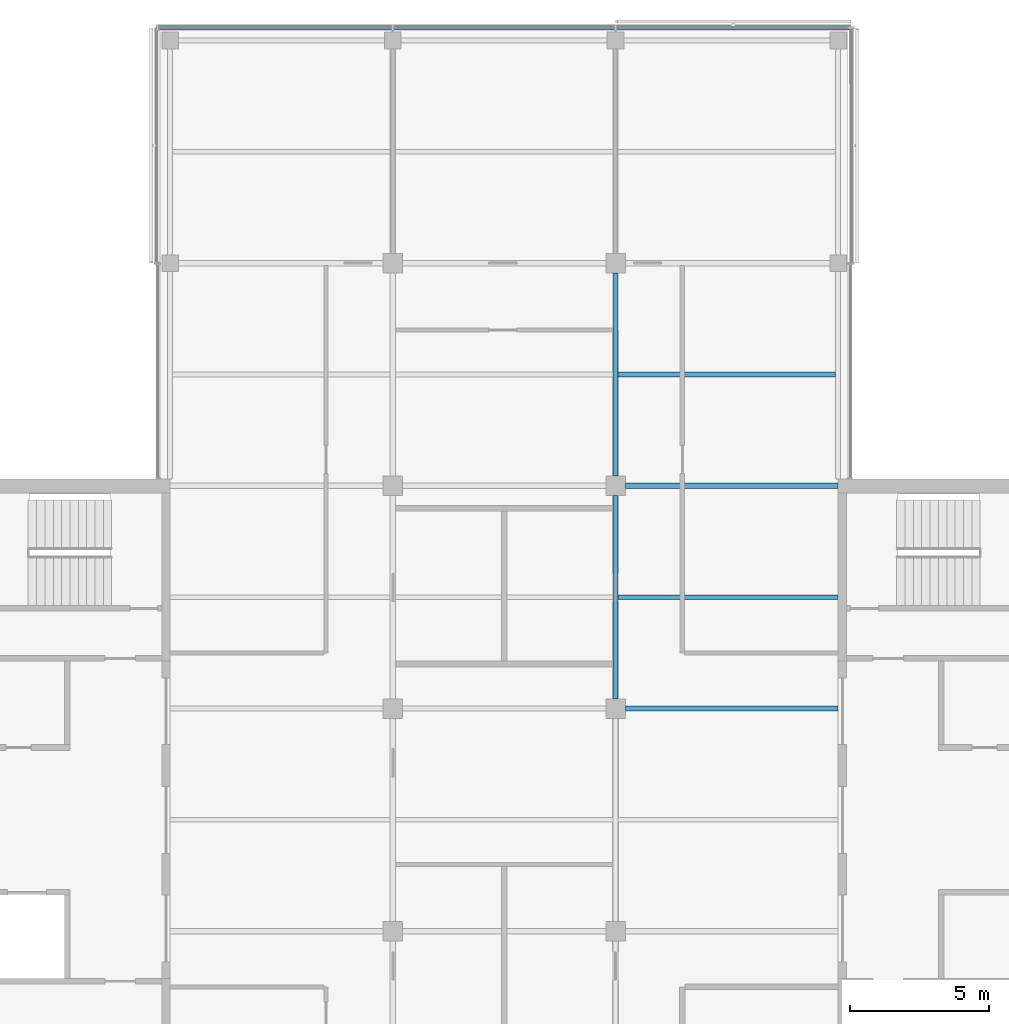
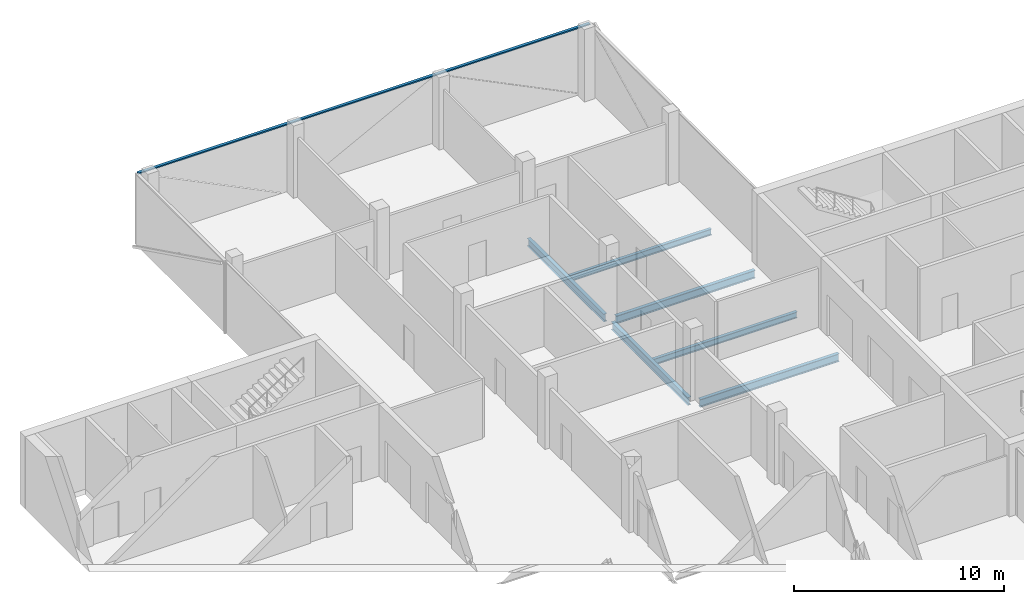
# One storey, part 6 of 16: 6 beams, 1 member, 1 element without a shape of its own.
"""IFC4 building model written with IfcOpenShell, lengths in metres."""

from ifc_helpers import new_model, si_unit, direction, frame, origin, origin_2d, place, context, subcontext, project, spatial, rectangle, i_section, extrude, material, material_profile, profile_set, type_object, element, aggregate, save


model = new_model("IFC4")

# Units and contexts
model_context = context("Model", 3, precision=1e-05, world=origin(), true_north=direction((0.0, 1.0)))
body_context = subcontext(model_context, "Body", "Model", "MODEL_VIEW")
ifc_project = project(units=[si_unit("LENGTHUNIT", "METRE"), si_unit("AREAUNIT", "SQUARE_METRE"), si_unit("VOLUMEUNIT", "CUBIC_METRE"), si_unit("PLANEANGLEUNIT", "RADIAN"), si_unit("MASSUNIT", "GRAM", prefix="KILO")], contexts=[model_context])

# Site, building, storey
site_placement = place(None, origin())
site = spatial("IfcSite", under=ifc_project, at=site_placement, CompositionType="ELEMENT")
building_placement = place(site_placement, origin())
building = spatial("IfcBuilding", under=site, at=building_placement, Name="Crosswind Convention Tower", CompositionType="ELEMENT")
storey_placement = place(building_placement, frame((0.0, 0.0, 291.300048828125)))
storey = spatial("IfcBuildingStorey", under=building, at=storey_placement, Name="L63", CompositionType="ELEMENT", Elevation=291.300048828125)

# Beams
ifc_material_1 = material(Name="Steel S355", Category="steel")
ifc_material_profile_1 = material_profile(ifc_material_1, i_section(OverallWidth=0.18994140625, OverallDepth=0.45361328125, WebThickness=0.008544921875, FlangeThickness=0.0126953125, FilletRadius=0.01025390625, at=origin_2d()), Name="UB 457x191x67")
ifc_profile_set_1 = profile_set([ifc_material_profile_1], Name="Steel S355")
beam_type_1 = type_object("IfcBeamType", Name="Girder UB 457x191x67", PredefinedType="BEAM", material=ifc_profile_set_1)
for number, where, z_axis, x_axis, name in (
    (1, (129.0, 104.35009765625, -0.52685546875), (0.0, 1.0, 0.0), (-1.0, 0.0, 0.0), "B1 L63 girder 20"),
    (2, (129.0, 112.35009765625, -0.52685546875), (0.0, 1.0, 0.0), (-1.0, 0.0, 0.0), "B1 L63 girder 21"),
):
    element("IfcBeam", number, at=place(storey_placement, frame(where, z_axis=z_axis, x_axis=x_axis)), inside=storey, type_object=beam_type_1, Name=name, PredefinedType="BEAM", context=body_context, shape_type="SweptSolid", body=[
        extrude(i_section(OverallWidth=0.18994140625, OverallDepth=0.45361328125, WebThickness=0.008544921875, FlangeThickness=0.0126953125, FilletRadius=0.01025390625, at=origin_2d()), origin(), (0.0, 0.0, 1.0), 7.2998046875),
    ])
ifc_material_profile_2 = material_profile(ifc_material_1, i_section(OverallWidth=0.1904296875, OverallDepth=0.457275390625, WebThickness=0.009033203125, FlangeThickness=0.014404296875, FilletRadius=0.01025390625, at=origin_2d()), Name="UB 457x191x75")
ifc_profile_set_2 = profile_set([ifc_material_profile_2], Name="Steel S355")
beam_type_2 = type_object("IfcBeamType", Name="Girder at core wall UB 457x191x75", PredefinedType="BEAM", material=ifc_profile_set_2)
for number, where, z_axis, x_axis, name in (
    (3, (129.35009765625, 104.0, -0.528564453125), (1.0, 0.0, 0.0), (0.0, 1.0, 0.0), "B22 L63 girder at core wall 7"),
    (4, (129.35009765625, 112.0, -0.528564453125), (1.0, 0.0, 0.0), (0.0, 1.0, 0.0), "B22 L63 girder at core wall 8"),
):
    element("IfcBeam", number, at=place(storey_placement, frame(where, z_axis=z_axis, x_axis=x_axis)), inside=storey, type_object=beam_type_2, Name=name, PredefinedType="BEAM", context=body_context, shape_type="SweptSolid", body=[
        extrude(i_section(OverallWidth=0.1904296875, OverallDepth=0.457275390625, WebThickness=0.009033203125, FlangeThickness=0.014404296875, FilletRadius=0.01025390625, at=origin_2d()), origin(), (0.0, 0.0, 1.0), 7.64990234375),
    ])
ifc_material_profile_3 = material_profile(ifc_material_1, i_section(OverallWidth=0.17138671875, OverallDepth=0.355712890625, WebThickness=0.00732421875, FlangeThickness=0.011474609375, FilletRadius=0.01025390625, at=origin_2d()), Name="UB 356x171x51")
ifc_profile_set_3 = profile_set([ifc_material_profile_3], Name="Steel S355")
beam_type_3 = type_object("IfcBeamType", Name="Secondary beam UB 356x171x51", PredefinedType="JOIST", material=ifc_profile_set_3)
beam_1_placement = place(storey_placement, frame((129.094970703125, 108.0, -0.477783203125), z_axis=(1.0, 0.0, 0.0), x_axis=(0.0, 1.0, 0.0)))
element("IfcBeam", 5, at=beam_1_placement, inside=storey, type_object=beam_type_3, Name="B8 L63 secondary beam 19", PredefinedType="JOIST", context=body_context, shape_type="SweptSolid", body=[
    extrude(i_section(OverallWidth=0.17138671875, OverallDepth=0.355712890625, WebThickness=0.00732421875, FlangeThickness=0.011474609375, FilletRadius=0.01025390625, at=origin_2d()), origin(), (0.0, 0.0, 1.0), 7.905029296875),
])
beam_2_placement = place(storey_placement, frame((129.094970703125, 116.0, -0.477783203125), z_axis=(1.0, 0.0, 0.0), x_axis=(0.0, 1.0, 0.0)))
element("IfcBeam", 6, at=beam_2_placement, inside=storey, type_object=beam_type_3, Name="B8 L63 secondary beam 20", PredefinedType="JOIST", context=body_context, shape_type="SweptSolid", body=[
    extrude(i_section(OverallWidth=0.17138671875, OverallDepth=0.355712890625, WebThickness=0.00732421875, FlangeThickness=0.011474609375, FilletRadius=0.01025390625, at=origin_2d()), origin(), (0.0, 0.0, 1.0), 7.816162109375),
])

# Curtain wall, member
ifc_material_2 = material(Name="Aluminium unitised curtain wall", Category="aluminium")
curtain_wall_type = type_object("IfcCurtainWallType", Name="OFFICE UNITISED WALL 220", PredefinedType="USERDEFINED", material=ifc_material_2)
curtain_wall_placement = place(storey_placement, origin())
curtain_wall = element("IfcCurtainWall", 7, at=curtain_wall_placement, inside=storey, type_object=curtain_wall_type, Name="CW3 L63 N-TIP 1", ObjectType="UNITISED", PredefinedType="USERDEFINED")
ifc_material_3 = material(Name="Aluminium transom", Category="aluminium")
ifc_material_profile_4 = material_profile(ifc_material_3, rectangle(XDim=0.159912109375, YDim=0.070068359375, at=origin_2d()), Name="AL 160X70")
ifc_profile_set_4 = profile_set([ifc_material_profile_4], Name="Aluminium transom")
member_type = type_object("IfcMemberType", Name="TRANSOM 70X160", PredefinedType="USERDEFINED", material=ifc_profile_set_4)
member_placement = place(storey_placement, frame((137.425048828125, 128.4599609375, 3.864990234375), z_axis=(-1.0, 0.0, 0.0), x_axis=(0.0, -1.0, 0.0)))
member = element("IfcMember", 8, at=member_placement, type_object=member_type, Name="CW3 transom", ObjectType="TRANSOM", PredefinedType="USERDEFINED", context=body_context, shape_type="SweptSolid", body=[
    extrude(rectangle(XDim=0.159912109375, YDim=0.070068359375, at=origin_2d()), origin(), (0.0, 0.0, 1.0), 24.85009765625),
])
aggregate(curtain_wall, [member])

save(model, "model.ifc")
